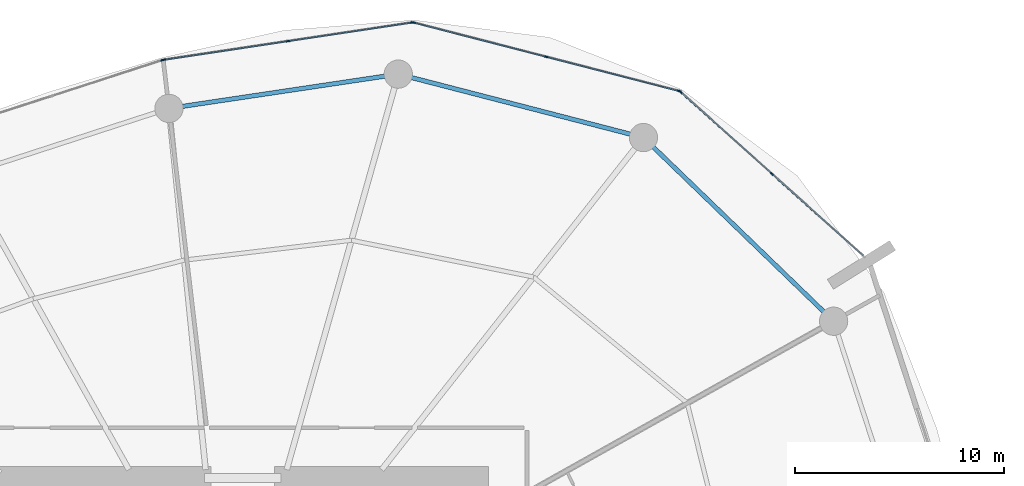
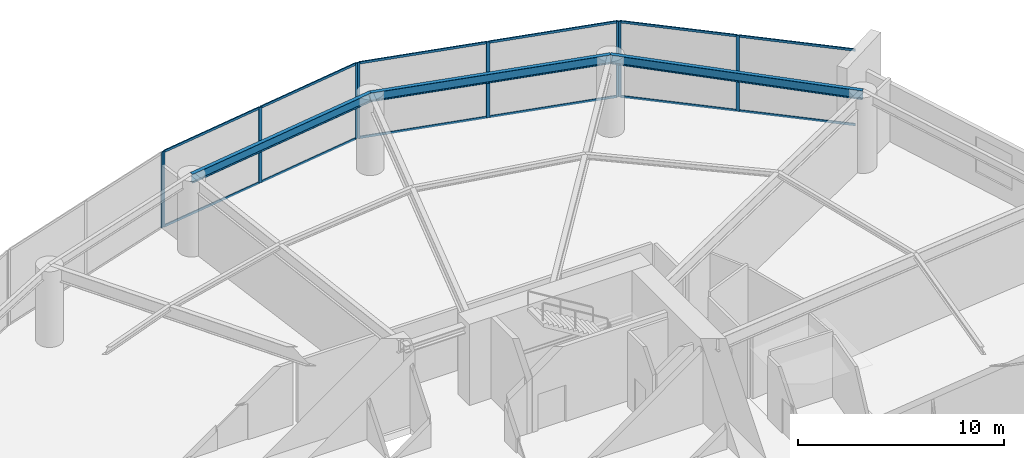
# One storey, part 15 of 22: 21 members, 3 beams, 4 elements without a shape of their own.
"""IFC4 building model written with IfcOpenShell, lengths in metres."""

from ifc_helpers import new_model, si_unit, direction, frame, origin, origin_2d, place, context, subcontext, project, spatial, rectangle, i_section, extrude, material, layer, layer_set, material_profile, profile_set, type_object, element, aggregate, save


model = new_model("IFC4")

# Units and contexts
model_context = context("Model", 3, precision=1e-05, world=origin(), true_north=direction((0.0, 1.0)))
body_context = subcontext(model_context, "Body", "Model", "MODEL_VIEW")
ifc_project = project(units=[si_unit("LENGTHUNIT", "METRE"), si_unit("AREAUNIT", "SQUARE_METRE"), si_unit("VOLUMEUNIT", "CUBIC_METRE"), si_unit("PLANEANGLEUNIT", "RADIAN"), si_unit("MASSUNIT", "GRAM", prefix="KILO")], contexts=[model_context])

# Site, building, storey
site_placement = place(None, origin())
site = spatial("IfcSite", under=ifc_project, at=site_placement, CompositionType="ELEMENT")
building_placement = place(site_placement, origin())
building = spatial("IfcBuilding", under=site, at=building_placement, Name="Kazma Halo Residences", CompositionType="ELEMENT")
storey_placement = place(building_placement, frame((0.0, 0.0, 7.199951171875)))
storey = spatial("IfcBuildingStorey", under=building, at=storey_placement, Name="L01", CompositionType="ELEMENT", Elevation=7.199951171875)

# Beams
ifc_material_1 = material(Name="Steel S355", Category="steel")
ifc_material_profile_1 = material_profile(ifc_material_1, i_section(OverallWidth=0.208984375, OverallDepth=0.532958984375, WebThickness=0.01025390625, FlangeThickness=0.015625, FilletRadius=0.01611328125, at=origin_2d()), Name="W530x92")
ifc_profile_set_1 = profile_set([ifc_material_profile_1], Name="Steel S355")
beam_type = type_object("IfcBeamType", Name="BM-SPN-W530", PredefinedType="BEAM", material=ifc_profile_set_1)
beam_1_placement = place(storey_placement, frame((76.6328125, 58.03515625, 4.213623046875), z_axis=(-0.719339467226, 0.694658715407, 0.0), x_axis=(-0.694658715407, -0.719339467226, 0.0)))
element("IfcBeam", 1, at=beam_1_placement, inside=storey, type_object=beam_type, Name="L01 perimeter ring beam 01", PredefinedType="BEAM", context=body_context, shape_type="SweptSolid", body=[
    extrude(i_section(OverallWidth=0.208984375, OverallDepth=0.532958984375, WebThickness=0.01025390625, FlangeThickness=0.015625, FilletRadius=0.01611328125, at=origin_2d()), origin(), (0.0, 0.0, 1.0), 12.6220703125),
])
beam_2_placement = place(storey_placement, frame((67.55322265625, 66.80322265625, 4.213623046875), z_axis=(-0.968123781445, 0.250472241578, 0.0), x_axis=(-0.250472241578, -0.968123781445, 0.0)))
element("IfcBeam", 2, at=beam_2_placement, inside=storey, type_object=beam_type, Name="L01 perimeter ring beam 02", PredefinedType="BEAM", context=body_context, shape_type="SweptSolid", body=[
    extrude(i_section(OverallWidth=0.208984375, OverallDepth=0.532958984375, WebThickness=0.01025390625, FlangeThickness=0.015625, FilletRadius=0.01611328125, at=origin_2d()), origin(), (0.0, 0.0, 1.0), 12.08935546875),
])
beam_3_placement = place(storey_placement, frame((55.84912109375, 69.831298828125, 4.213623046875), z_axis=(-0.989031581018, -0.14770420356, 0.0), x_axis=(0.14770420356, -0.989031581018, 0.0)))
element("IfcBeam", 3, at=beam_3_placement, inside=storey, type_object=beam_type, Name="L01 perimeter ring beam 03", PredefinedType="BEAM", context=body_context, shape_type="SweptSolid", body=[
    extrude(i_section(OverallWidth=0.208984375, OverallDepth=0.532958984375, WebThickness=0.01025390625, FlangeThickness=0.015625, FilletRadius=0.01611328125, at=origin_2d()), origin(), (0.0, 0.0, 1.0), 11.071044921875),
])

# Curtain wall, members
ifc_material_2 = material(Name="Aluminium AW-6063 T6 and Triple-Silver Low-E Glass", Category="aluminium")
ifc_layer = layer(ifc_material_2, 0.179931640625)
ifc_layer_set = layer_set([ifc_layer], Name="Aluminium AW-6063 T6 and Triple-Silver Low-E Glass")
curtain_wall_type = type_object("IfcCurtainWallType", Name="CW-SYS-1", PredefinedType="NOTDEFINED", material=ifc_layer_set)
curtain_wall_1_placement = place(storey_placement, origin())
curtain_wall_1 = element("IfcCurtainWall", 4, at=curtain_wall_1_placement, inside=storey, type_object=curtain_wall_type, Name="L01 unitised curtain wall B01", PredefinedType="NOTDEFINED")
ifc_material_3 = material(Name="Aluminium AW-6063 T6", Category="aluminium")
ifc_material_profile_2 = material_profile(ifc_material_3, rectangle(XDim=0.06494140625, YDim=0.179931640625, at=origin_2d()), Name="CWM-65x180")
ifc_profile_set_2 = profile_set([ifc_material_profile_2], Name="Aluminium AW-6063 T6")
member_type_1 = type_object("IfcMemberType", Name="CW-SYS-1-MUL", PredefinedType="MULLION", material=ifc_profile_set_2)
member_1_placement = place(storey_placement, frame((73.689208984375, 65.070556640625, 0.0), z_axis=(0.0, 0.0, 1.0), x_axis=(-0.667847908139, -0.744297770784, 0.0)))
member_1 = element("IfcMember", 5, at=member_1_placement, type_object=member_type_1, Name="CWS-1 mullion 2", PredefinedType="MULLION", context=body_context, shape_type="SweptSolid", body=[
    extrude(rectangle(XDim=0.06494140625, YDim=0.179931640625, at=origin_2d()), origin(), (0.0, 0.0, 1.0), 4.47998046875),
])
member_2_placement = place(storey_placement, frame((69.319580078125, 68.9912109375, 0.0), z_axis=(0.0, 0.0, 1.0), x_axis=(-0.667847908139, -0.744297770784, 0.0)))
member_2 = element("IfcMember", 6, at=member_2_placement, type_object=member_type_1, Name="CWS-1 mullion 3", PredefinedType="MULLION", context=body_context, shape_type="SweptSolid", body=[
    extrude(rectangle(XDim=0.06494140625, YDim=0.179931640625, at=origin_2d()), origin(), (0.0, 0.0, 1.0), 4.47998046875),
])

curtain_wall_2_placement = place(storey_placement, origin())
curtain_wall_2 = element("IfcCurtainWall", 7, at=curtain_wall_2_placement, inside=storey, type_object=curtain_wall_type, Name="L01 unitised curtain wall B02", PredefinedType="NOTDEFINED")
member_3_placement = place(storey_placement, frame((69.263916015625, 69.02099609375, 0.0), z_axis=(0.0, 0.0, 1.0), x_axis=(-0.249727103953, -0.96831625699, 0.0)))
member_3 = element("IfcMember", 8, at=member_3_placement, type_object=member_type_1, Name="CWS-1 mullion 1", PredefinedType="MULLION", context=body_context, shape_type="SweptSolid", body=[
    extrude(rectangle(XDim=0.06494140625, YDim=0.179931640625, at=origin_2d()), origin(), (0.0, 0.0, 1.0), 4.47998046875),
])
member_4_placement = place(storey_placement, frame((62.920654296875, 70.656982421875, 0.0), z_axis=(0.0, 0.0, 1.0), x_axis=(-0.249727103953, -0.96831625699, 0.0)))
member_4 = element("IfcMember", 9, at=member_4_placement, type_object=member_type_1, Name="CWS-1 mullion 2", PredefinedType="MULLION", context=body_context, shape_type="SweptSolid", body=[
    extrude(rectangle(XDim=0.06494140625, YDim=0.179931640625, at=origin_2d()), origin(), (0.0, 0.0, 1.0), 4.47998046875),
])
member_5_placement = place(storey_placement, frame((56.5771484375, 72.29296875, 0.0), z_axis=(0.0, 0.0, 1.0), x_axis=(-0.249727103953, -0.96831625699, 0.0)))
member_5 = element("IfcMember", 10, at=member_5_placement, type_object=member_type_1, Name="CWS-1 mullion 3", PredefinedType="MULLION", context=body_context, shape_type="SweptSolid", body=[
    extrude(rectangle(XDim=0.06494140625, YDim=0.179931640625, at=origin_2d()), origin(), (0.0, 0.0, 1.0), 4.47998046875),
])

curtain_wall_3_placement = place(storey_placement, origin())
curtain_wall_3 = element("IfcCurtainWall", 11, at=curtain_wall_3_placement, inside=storey, type_object=curtain_wall_type, Name="L01 unitised curtain wall B03", PredefinedType="NOTDEFINED")
member_6_placement = place(storey_placement, frame((56.513671875, 72.29638671875, 0.0), z_axis=(0.0, 0.0, 1.0), x_axis=(0.148548966342, -0.988905053379, 0.0)))
member_6 = element("IfcMember", 12, at=member_6_placement, type_object=member_type_1, Name="CWS-1 mullion 1", PredefinedType="MULLION", context=body_context, shape_type="SweptSolid", body=[
    extrude(rectangle(XDim=0.06494140625, YDim=0.179931640625, at=origin_2d()), origin(), (0.0, 0.0, 1.0), 4.47998046875),
])
member_7_placement = place(storey_placement, frame((50.585693359375, 71.40576171875, 0.0), z_axis=(0.0, 0.0, 1.0), x_axis=(0.148548966342, -0.988905053379, 0.0)))
member_7 = element("IfcMember", 13, at=member_7_placement, type_object=member_type_1, Name="CWS-1 mullion 2", PredefinedType="MULLION", context=body_context, shape_type="SweptSolid", body=[
    extrude(rectangle(XDim=0.06494140625, YDim=0.179931640625, at=origin_2d()), origin(), (0.0, 0.0, 1.0), 4.47998046875),
])
member_8_placement = place(storey_placement, frame((44.65771484375, 70.515380859375, 0.0), z_axis=(0.0, 0.0, 1.0), x_axis=(0.148548966342, -0.988905053379, 0.0)))
member_8 = element("IfcMember", 14, at=member_8_placement, type_object=member_type_1, Name="CWS-1 mullion 3", PredefinedType="MULLION", context=body_context, shape_type="SweptSolid", body=[
    extrude(rectangle(XDim=0.06494140625, YDim=0.179931640625, at=origin_2d()), origin(), (0.0, 0.0, 1.0), 4.47998046875),
])

# Curtain wall, member
curtain_wall_4_placement = place(storey_placement, origin())
curtain_wall_4 = element("IfcCurtainWall", 15, at=curtain_wall_4_placement, inside=storey, type_object=curtain_wall_type, Name="L01 unitised curtain wall B04", PredefinedType="NOTDEFINED")
member_9_placement = place(storey_placement, frame((44.5947265625, 70.50048828125, 0.0), z_axis=(0.0, 0.0, 1.0), x_axis=(0.309017239211, -0.951056436743, 0.0)))
member_9 = element("IfcMember", 16, at=member_9_placement, type_object=member_type_1, Name="CWS-1 mullion 1", PredefinedType="MULLION", context=body_context, shape_type="SweptSolid", body=[
    extrude(rectangle(XDim=0.06494140625, YDim=0.179931640625, at=origin_2d()), origin(), (0.0, 0.0, 1.0), 4.47998046875),
])
aggregate(curtain_wall_4, [member_9])

# Member
ifc_material_profile_3 = material_profile(ifc_material_3, rectangle(XDim=0.06494140625, YDim=0.135009765625, at=origin_2d()), Name="CWT-65x135")
ifc_profile_set_3 = profile_set([ifc_material_profile_3], Name="Aluminium AW-6063 T6")
member_type_2 = type_object("IfcMemberType", Name="CW-SYS-1-TRN", PredefinedType="USERDEFINED", material=ifc_profile_set_3)
member_10_placement = place(storey_placement, frame((78.034423828125, 61.171630859375, 0.032470703125), z_axis=(-0.744299097196, 0.667846429887, 0.0), x_axis=(-0.667846429887, -0.744299097196, 0.0)))
member_10 = element("IfcMember", 17, at=member_10_placement, type_object=member_type_2, Name="CWS-1 transom 1.1", ObjectType="TRANSOM", PredefinedType="USERDEFINED", context=body_context, shape_type="SweptSolid", body=[
    extrude(rectangle(XDim=0.06494140625, YDim=0.135009765625, at=origin_2d()), origin(), (0.0, 0.0, 1.0), 5.805419921875),
])

member_11_placement = place(storey_placement, frame((78.034423828125, 61.171630859375, 4.447509765625), z_axis=(-0.744299097196, 0.667846429887, 0.0), x_axis=(-0.667846429887, -0.744299097196, 0.0)))
member_11 = element("IfcMember", 18, at=member_11_placement, type_object=member_type_2, Name="CWS-1 transom 1.2", ObjectType="TRANSOM", PredefinedType="USERDEFINED", context=body_context, shape_type="SweptSolid", body=[
    extrude(rectangle(XDim=0.06494140625, YDim=0.135009765625, at=origin_2d()), origin(), (0.0, 0.0, 1.0), 5.805419921875),
])

member_12_placement = place(storey_placement, frame((73.6650390625, 65.09228515625, 0.032470703125), z_axis=(-0.744317852823, 0.667825526592, 0.0), x_axis=(-0.667825526592, -0.744317852823, 0.0)))
member_12 = element("IfcMember", 19, at=member_12_placement, type_object=member_type_2, Name="CWS-1 transom 2.1", ObjectType="TRANSOM", PredefinedType="USERDEFINED", context=body_context, shape_type="SweptSolid", body=[
    extrude(rectangle(XDim=0.06494140625, YDim=0.135009765625, at=origin_2d()), origin(), (0.0, 0.0, 1.0), 5.8056640625),
])

member_13_placement = place(storey_placement, frame((73.6650390625, 65.09228515625, 4.447509765625), z_axis=(-0.744317852823, 0.667825526592, 0.0), x_axis=(-0.667825526592, -0.744317852823, 0.0)))
member_13 = element("IfcMember", 20, at=member_13_placement, type_object=member_type_2, Name="CWS-1 transom 2.2", ObjectType="TRANSOM", PredefinedType="USERDEFINED", context=body_context, shape_type="SweptSolid", body=[
    extrude(rectangle(XDim=0.06494140625, YDim=0.135009765625, at=origin_2d()), origin(), (0.0, 0.0, 1.0), 5.8056640625),
])

aggregate(curtain_wall_1, [member_1, member_2, member_10, member_11, member_12, member_13])

member_14_placement = place(storey_placement, frame((69.232421875, 69.029296875, 0.032470703125), z_axis=(-0.968317854782, 0.249720908437, 0.0), x_axis=(-0.249720908437, -0.968317854782, 0.0)))
member_14 = element("IfcMember", 21, at=member_14_placement, type_object=member_type_2, Name="CWS-1 transom 1.1", ObjectType="TRANSOM", PredefinedType="USERDEFINED", context=body_context, shape_type="SweptSolid", body=[
    extrude(rectangle(XDim=0.06494140625, YDim=0.135009765625, at=origin_2d()), origin(), (0.0, 0.0, 1.0), 6.48583984375),
])

member_15_placement = place(storey_placement, frame((69.232421875, 69.029296875, 4.447509765625), z_axis=(-0.968317854782, 0.249720908437, 0.0), x_axis=(-0.249720908437, -0.968317854782, 0.0)))
member_15 = element("IfcMember", 22, at=member_15_placement, type_object=member_type_2, Name="CWS-1 transom 1.2", ObjectType="TRANSOM", PredefinedType="USERDEFINED", context=body_context, shape_type="SweptSolid", body=[
    extrude(rectangle(XDim=0.06494140625, YDim=0.135009765625, at=origin_2d()), origin(), (0.0, 0.0, 1.0), 6.48583984375),
])

member_16_placement = place(storey_placement, frame((62.88916015625, 70.665283203125, 0.032470703125), z_axis=(-0.968320202065, 0.249711806433, 0.0), x_axis=(-0.249711806433, -0.968320202065, 0.0)))
member_16 = element("IfcMember", 23, at=member_16_placement, type_object=member_type_2, Name="CWS-1 transom 2.1", ObjectType="TRANSOM", PredefinedType="USERDEFINED", context=body_context, shape_type="SweptSolid", body=[
    extrude(rectangle(XDim=0.06494140625, YDim=0.135009765625, at=origin_2d()), origin(), (0.0, 0.0, 1.0), 6.486083984375),
])

member_17_placement = place(storey_placement, frame((62.88916015625, 70.665283203125, 4.447509765625), z_axis=(-0.968320202065, 0.249711806433, 0.0), x_axis=(-0.249711806433, -0.968320202065, 0.0)))
member_17 = element("IfcMember", 24, at=member_17_placement, type_object=member_type_2, Name="CWS-1 transom 2.2", ObjectType="TRANSOM", PredefinedType="USERDEFINED", context=body_context, shape_type="SweptSolid", body=[
    extrude(rectangle(XDim=0.06494140625, YDim=0.135009765625, at=origin_2d()), origin(), (0.0, 0.0, 1.0), 6.486083984375),
])

aggregate(curtain_wall_2, [member_3, member_4, member_5, member_14, member_15, member_16, member_17])

member_18_placement = place(storey_placement, frame((56.4814453125, 72.29150390625, 0.032470703125), z_axis=(-0.988903408536, -0.14855991581, 0.0), x_axis=(0.14855991581, -0.988903408536, 0.0)))
member_18 = element("IfcMember", 25, at=member_18_placement, type_object=member_type_2, Name="CWS-1 transom 1.1", ObjectType="TRANSOM", PredefinedType="USERDEFINED", context=body_context, shape_type="SweptSolid", body=[
    extrude(rectangle(XDim=0.06494140625, YDim=0.135009765625, at=origin_2d()), origin(), (0.0, 0.0, 1.0), 5.92919921875),
])

member_19_placement = place(storey_placement, frame((56.4814453125, 72.29150390625, 4.447509765625), z_axis=(-0.988903408536, -0.14855991581, 0.0), x_axis=(0.14855991581, -0.988903408536, 0.0)))
member_19 = element("IfcMember", 26, at=member_19_placement, type_object=member_type_2, Name="CWS-1 transom 1.2", ObjectType="TRANSOM", PredefinedType="USERDEFINED", context=body_context, shape_type="SweptSolid", body=[
    extrude(rectangle(XDim=0.06494140625, YDim=0.135009765625, at=origin_2d()), origin(), (0.0, 0.0, 1.0), 5.92919921875),
])

member_20_placement = place(storey_placement, frame((50.553466796875, 71.40087890625, 0.032470703125), z_axis=(-0.988909456852, -0.148519649035, 0.0), x_axis=(0.148519649035, -0.988909456852, 0.0)))
member_20 = element("IfcMember", 27, at=member_20_placement, type_object=member_type_2, Name="CWS-1 transom 2.1", ObjectType="TRANSOM", PredefinedType="USERDEFINED", context=body_context, shape_type="SweptSolid", body=[
    extrude(rectangle(XDim=0.06494140625, YDim=0.135009765625, at=origin_2d()), origin(), (0.0, 0.0, 1.0), 5.92919921875),
])

member_21_placement = place(storey_placement, frame((50.553466796875, 71.40087890625, 4.447509765625), z_axis=(-0.988909456852, -0.148519649035, 0.0), x_axis=(0.148519649035, -0.988909456852, 0.0)))
member_21 = element("IfcMember", 28, at=member_21_placement, type_object=member_type_2, Name="CWS-1 transom 2.2", ObjectType="TRANSOM", PredefinedType="USERDEFINED", context=body_context, shape_type="SweptSolid", body=[
    extrude(rectangle(XDim=0.06494140625, YDim=0.135009765625, at=origin_2d()), origin(), (0.0, 0.0, 1.0), 5.92919921875),
])

aggregate(curtain_wall_3, [member_6, member_7, member_8, member_18, member_19, member_20, member_21])

save(model, "model.ifc")
